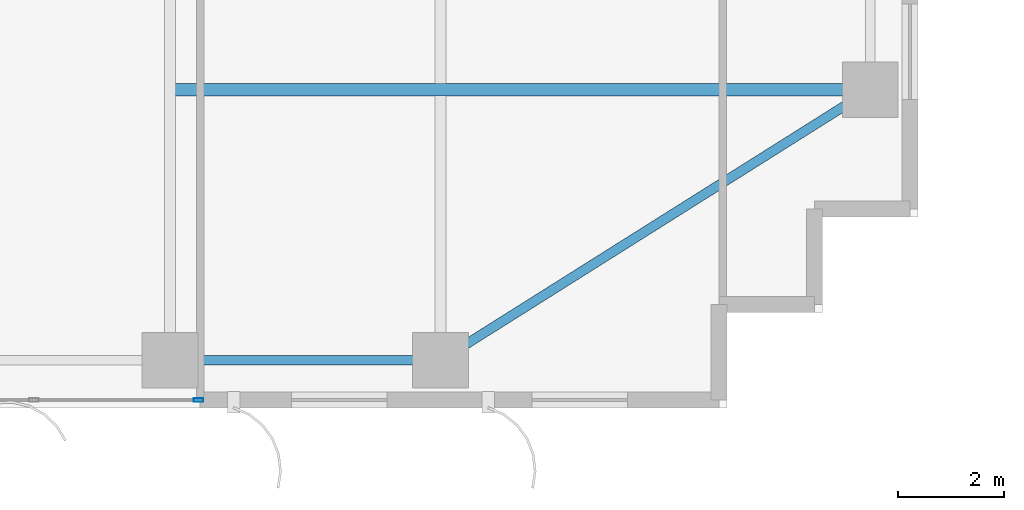
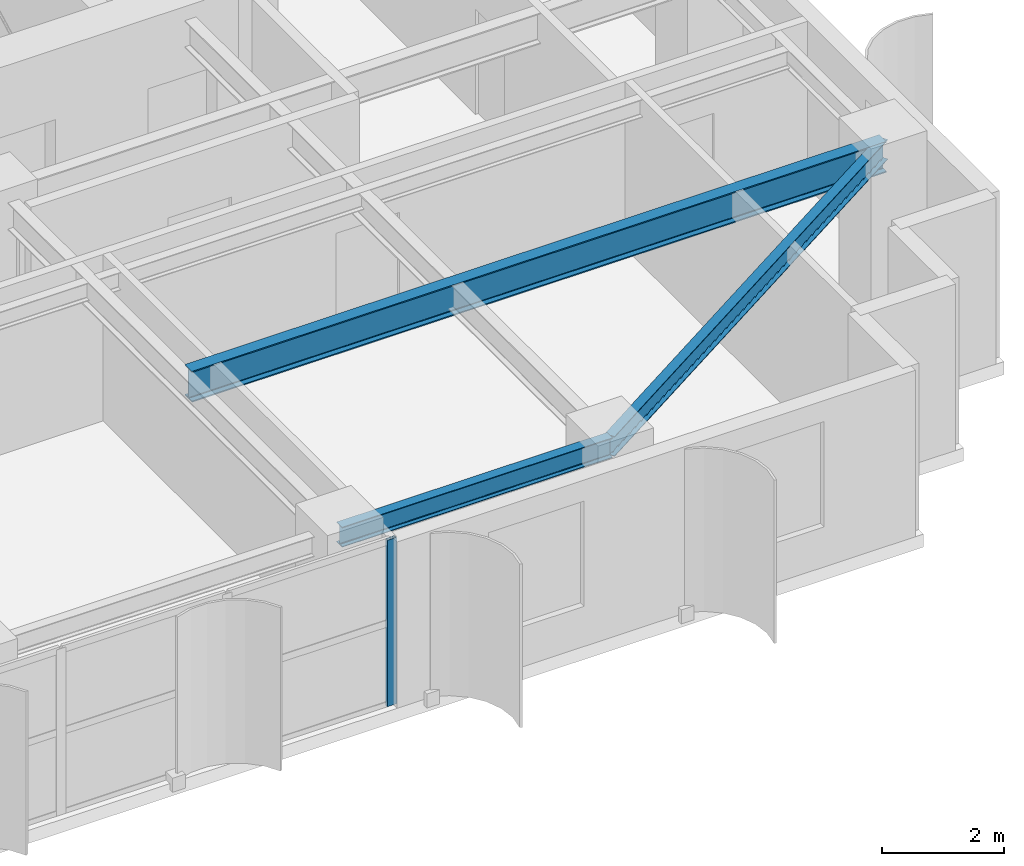
# One storey, part 9 of 22: 3 beams, 1 member, 1 element without a shape of its own.
"""IFC4 building model written with IfcOpenShell, lengths in metres."""

from ifc_helpers import new_model, si_unit, direction, frame, origin, origin_2d, place, context, subcontext, project, spatial, hollow_rectangle, i_section, extrude, source, transform, mapped, material, layer, layer_set, material_profile, profile_set, type_object, element, aggregate, save


model = new_model("IFC4")

# Units and contexts
model_context = context("Model", 3, precision=1e-05, world=origin(), true_north=direction((0.0, 1.0)))
body_context = subcontext(model_context, "Body", "Model", "MODEL_VIEW")
ifc_project = project(units=[si_unit("LENGTHUNIT", "METRE"), si_unit("AREAUNIT", "SQUARE_METRE"), si_unit("VOLUMEUNIT", "CUBIC_METRE"), si_unit("PLANEANGLEUNIT", "RADIAN"), si_unit("MASSUNIT", "GRAM", prefix="KILO")], contexts=[model_context])

# Site, building, storey
site_placement = place(None, origin())
site = spatial("IfcSite", under=ifc_project, at=site_placement, CompositionType="ELEMENT")
building_placement = place(site_placement, origin())
building = spatial("IfcBuilding", under=site, at=building_placement, Name="Khoralis Quay Care Tower", CompositionType="ELEMENT")
storey_placement = place(building_placement, frame((0.0, 0.0, 141.300048828125)))
storey = spatial("IfcBuildingStorey", under=building, at=storey_placement, Name="L37", CompositionType="ELEMENT", Elevation=141.300048828125)

# Beams
ifc_material_1 = material(Name="Steel S355", Category="steel")
ifc_material_profile_1 = material_profile(ifc_material_1, i_section(OverallWidth=0.179931640625, OverallDepth=0.39990234375, WebThickness=0.008544921875, FlangeThickness=0.013427734375, FilletRadius=0.02099609375, at=origin_2d()), Name="Steel S355")
ifc_profile_set_1 = profile_set([ifc_material_profile_1], Name="Steel S355")
beam_type_1 = type_object("IfcBeamType", Name="BM-IPE400", PredefinedType="SPANDREL", material=ifc_profile_set_1)
shared_shape_1 = source(origin(), body_context, "Body", "SweptSolid", [
    extrude(i_section(OverallWidth=0.179931640625, OverallDepth=0.39990234375, WebThickness=0.008544921875, FlangeThickness=0.013427734375, FilletRadius=0.02099609375, at=origin_2d()), origin(), (0.0, 0.0, 1.0), 5.10009765625),
])
beam_1_placement = place(storey_placement, frame((30.89990234375, 0.89990234375, 3.119873046875), z_axis=(1.0, 0.0, 0.0), x_axis=(0.0, 1.0, 0.0)))
element("IfcBeam", 1, at=beam_1_placement, inside=storey, type_object=beam_type_1, Name="BM-TSP-L37-05", PredefinedType="SPANDREL", context=body_context, shape_type="MappedRepresentation", body=[
    mapped(shared_shape_1, transform((0.0, 0.0, 0.0), scale=1.0)),
])
shared_shape_2 = source(origin(), body_context, "Body", "SweptSolid", [
    extrude(i_section(OverallWidth=0.179931640625, OverallDepth=0.39990234375, WebThickness=0.008544921875, FlangeThickness=0.013427734375, FilletRadius=0.02099609375, at=origin_2d()), origin(), (0.0, 0.0, 1.0), 9.572021484375),
])
beam_2_placement = place(storey_placement, frame((36.0, 0.89990234375, 3.119873046875), z_axis=(0.846231136359, 0.532815975602, 0.0), x_axis=(-0.532815975602, 0.846231136359, 0.0)))
element("IfcBeam", 2, at=beam_2_placement, inside=storey, type_object=beam_type_1, Name="BM-TCR-L37-22", PredefinedType="SPANDREL", context=body_context, shape_type="MappedRepresentation", body=[
    mapped(shared_shape_2, transform((0.0, 0.0, 0.0), scale=1.0)),
])
ifc_material_profile_2 = material_profile(ifc_material_1, i_section(OverallWidth=0.22998046875, OverallDepth=0.616943359375, WebThickness=0.01318359375, FlangeThickness=0.022216796875, FilletRadius=0.01806640625, at=origin_2d()), Name="Steel S355")
ifc_profile_set_2 = profile_set([ifc_material_profile_2], Name="Steel S355")
beam_type_2 = type_object("IfcBeamType", Name="BM-W610X140", PredefinedType="BEAM", material=ifc_profile_set_2)
shared_shape_3 = source(origin(), body_context, "Body", "SweptSolid", [
    extrude(i_section(OverallWidth=0.22998046875, OverallDepth=0.616943359375, WebThickness=0.01318359375, FlangeThickness=0.022216796875, FilletRadius=0.01806640625, at=origin_2d()), origin(), (0.0, 0.0, 1.0), 13.106201171875),
])
beam_3_placement = place(storey_placement, frame((30.993896484375, 6.0, 3.011474609375), z_axis=(1.0, 0.0, 0.0), x_axis=(0.0, 1.0, 0.0)))
element("IfcBeam", 3, at=beam_3_placement, inside=storey, type_object=beam_type_2, Name="BM-TGXE-L37-60", PredefinedType="BEAM", context=body_context, shape_type="MappedRepresentation", body=[
    mapped(shared_shape_3, transform((0.0, 0.0, 0.0), scale=1.0)),
])

# Curtain wall, member
ifc_material_2 = material(Name="Pale anodised aluminium", Category="aluminium")
ifc_layer = layer(ifc_material_2, 0.169921875)
ifc_layer_set = layer_set([ifc_layer], Name="Pale anodised aluminium")
curtain_wall_type = type_object("IfcCurtainWallType", Name="CW-SYS-Z2", PredefinedType="NOTDEFINED", material=ifc_layer_set)
curtain_wall_placement = place(storey_placement, origin())
curtain_wall = element("IfcCurtainWall", 4, at=curtain_wall_placement, inside=storey, type_object=curtain_wall_type, Name="L37 Unitised Curtain Wall CW-L37-P1-E0", PredefinedType="NOTDEFINED")
ifc_material_profile_3 = material_profile(ifc_material_2, hollow_rectangle(XDim=0.06494140625, YDim=0.179931640625, WallThickness=0.00390625, at=origin_2d()), Name="Pale anodised aluminium")
ifc_profile_set_3 = profile_set([ifc_material_profile_3], Name="Pale anodised aluminium")
member_type = type_object("IfcMemberType", Name="CW-MUL-180", PredefinedType="MULLION", material=ifc_profile_set_3)
shared_shape_4 = source(origin(), body_context, "Body", "SweptSolid", [
    extrude(hollow_rectangle(XDim=0.06494140625, YDim=0.179931640625, WallThickness=0.00390625, at=origin_2d()), origin(), (0.0, 0.0, 1.0), 3.320068359375),
])
member_placement = place(storey_placement, frame((31.43994140625, 0.14990234375, 0.0), z_axis=(0.0, 0.0, 1.0), x_axis=(0.0, 1.0, 0.0)))
member = element("IfcMember", 5, at=member_placement, type_object=member_type, Name="CW2 mullion 7", PredefinedType="MULLION", context=body_context, shape_type="MappedRepresentation", body=[
    mapped(shared_shape_4, transform((0.0, 0.0, 0.0), scale=1.0)),
])
aggregate(curtain_wall, [member])

save(model, "model.ifc")
